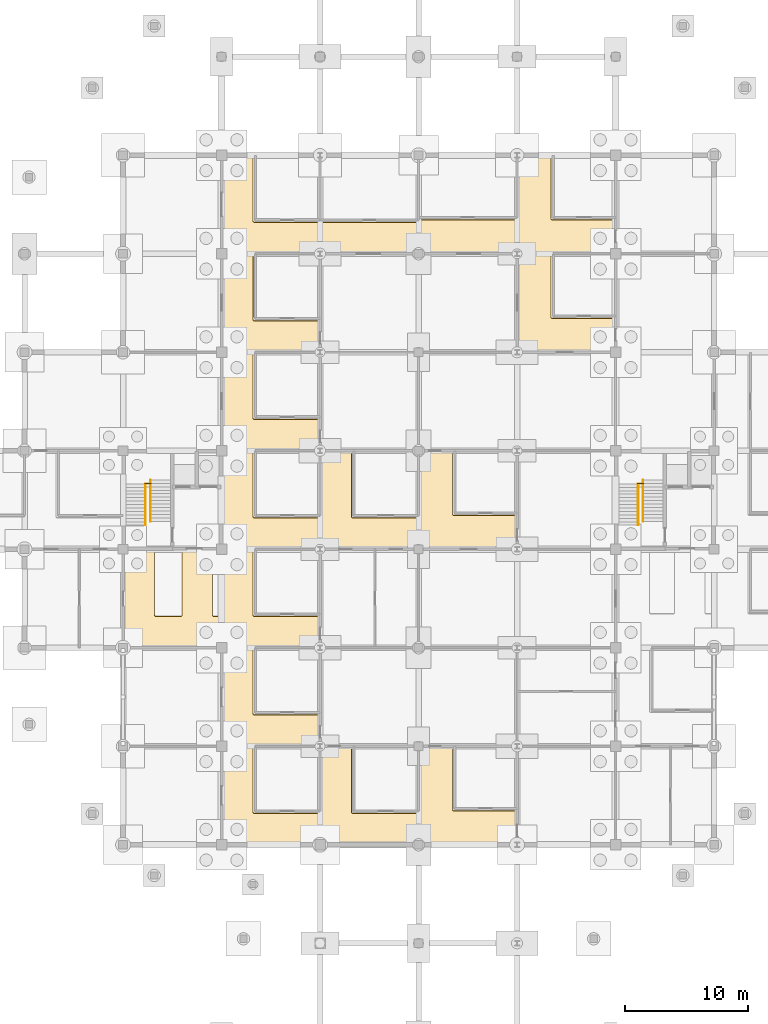
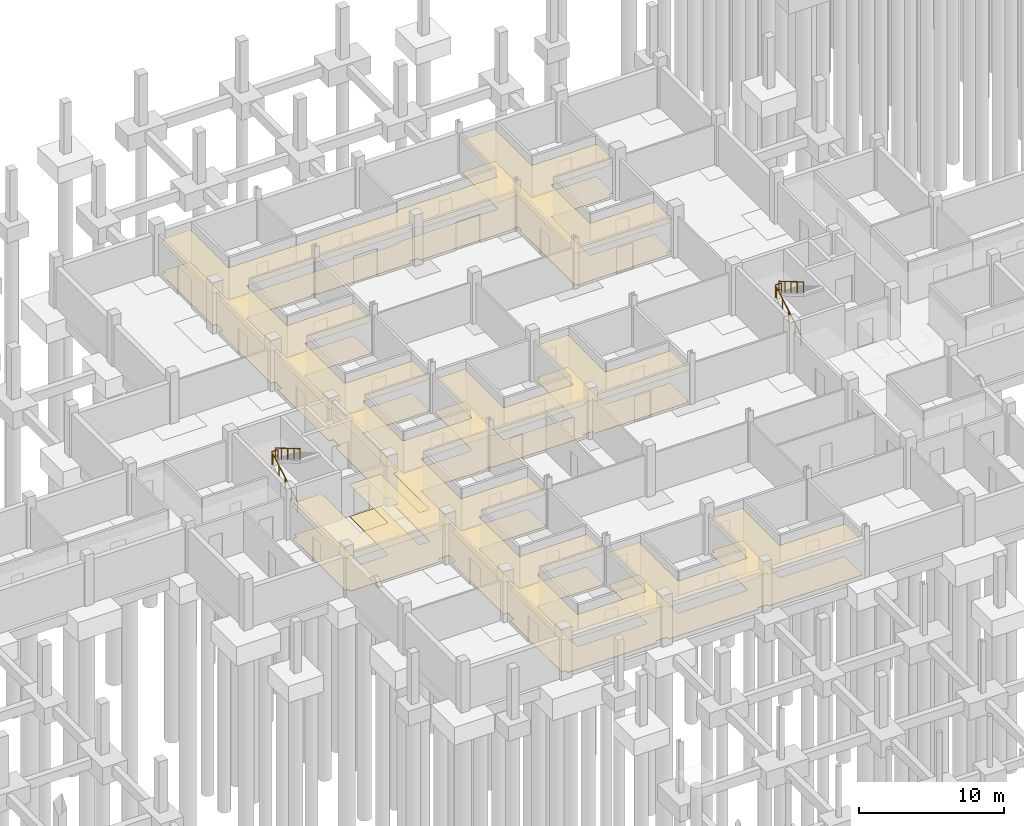
# One storey, part 41 of 48: 6 railings, 2 coverings.
"""IFC4 building model written with IfcOpenShell, lengths in metres."""

from ifc_helpers import new_model, si_unit, derived_unit, direction, frame, origin, origin_2d, place, context, subcontext, project, spatial, polyline, circle, outline, extrude, material, layer, layer_set, type_object, element, save


model = new_model("IFC4")

# Units and contexts
model_context = context("Model", 3, precision=1e-05, world=origin(), true_north=direction((0.0, 1.0)))
body_context = subcontext(model_context, "Body", "Model", "MODEL_VIEW")
ifc_project = project(units=[si_unit("LENGTHUNIT", "METRE"), si_unit("AREAUNIT", "SQUARE_METRE"), si_unit("VOLUMEUNIT", "CUBIC_METRE"), si_unit("PLANEANGLEUNIT", "RADIAN"), si_unit("MASSUNIT", "GRAM", prefix="KILO"), derived_unit("THERMALTRANSMITTANCEUNIT", [(si_unit("MASSUNIT", "GRAM", prefix="KILO"), 1), (si_unit("TIMEUNIT", "SECOND"), -3), (si_unit("THERMODYNAMICTEMPERATUREUNIT", "KELVIN"), -1)])], contexts=[model_context])

# Site, building, storey
site_placement = place(None, origin())
site = spatial("IfcSite", under=ifc_project, at=site_placement, CompositionType="ELEMENT")
building_placement = place(site_placement, origin())
building = spatial("IfcBuilding", under=site, at=building_placement, Name="Veyamyaing Civic Hall", CompositionType="ELEMENT")
storey_placement = place(building_placement, frame((0.0, 0.0, -4.2900390625)))
storey = spatial("IfcBuildingStorey", under=building, at=storey_placement, Name="B1", CompositionType="ELEMENT", Elevation=-4.2900390625)

# Coverings
ifc_material_1 = material(Name="Perforated acoustic gypsum ceiling board")
ifc_layer_1 = layer(ifc_material_1, 0.02490234375, Name="Perforated acoustic gypsum ceiling board")
ifc_layer_set_1 = layer_set([ifc_layer_1], Name="Perforated acoustic gypsum ceiling board")
covering_type_1 = type_object("IfcCoveringType", Name="CLG-01", PredefinedType="CEILING", material=ifc_layer_set_1)
covering_1_placement = place(storey_placement, frame((0.0, 0.0, 2.699951171875)))
element("IfcCovering", 1, at=covering_1_placement, inside=storey, type_object=covering_type_1, Name="Acoustic suspended ceiling CLG-01 B1-C04", PredefinedType="CEILING", context=body_context, shape_type="SweptSolid", body=[
    extrude(outline(polyline([(64.3349609375, 40.074951171875), (64.3349609375, 40.3349609375), (64.074951171875, 40.3349609375), (64.074951171875, 47.614990234375), (64.385009765625, 47.614990234375), (64.385009765625, 47.925048828125), (66.574951171875, 47.925048828125), (66.574951171875, 42.652587890625), (66.581298828125, 42.62158203125), (66.597412109375, 42.597412109375), (66.62158203125, 42.581298828125), (66.652587890625, 42.574951171875), (68.6982421875, 42.574951171875), (68.7216796875, 42.57861328125), (68.741455078125, 42.587890625), (68.7578125, 42.6025390625), (68.768798828125, 42.620849609375), (68.77490234375, 42.652587890625), (68.77490234375, 47.925048828125), (71.27490234375, 47.925048828125), (71.27685546875, 42.635009765625), (71.283935546875, 42.615478515625), (71.302734375, 42.59228515625), (71.3291015625, 42.578369140625), (71.351806640625, 42.574951171875), (72.006591796875, 42.575439453125), (72.028076171875, 42.580810546875), (72.05322265625, 42.59765625), (72.06591796875, 42.61474609375), (72.072998046875, 42.635009765625), (72.074951171875, 47.590087890625), (72.409912109375, 47.590087890625), (72.409912109375, 48.409912109375), (72.074951171875, 48.409912109375), (72.074951171875, 55.590087890625), (72.409912109375, 55.590087890625), (72.409912109375, 56.409912109375), (72.074951171875, 56.409912109375), (72.074951171875, 63.590087890625), (72.409912109375, 63.590087890625), (72.409912109375, 64.409912109375), (72.074951171875, 64.409912109375), (72.074951171875, 71.590087890625), (72.409912109375, 71.590087890625), (72.409912109375, 72.409912109375), (72.074951171875, 72.409912109375), (72.074951171875, 79.590087890625), (72.409912109375, 79.590087890625), (72.409912109375, 79.844970703125), (74.574951171875, 79.844970703125), (74.574951171875, 74.65185546875), (74.578369140625, 74.62890625), (74.5927734375, 74.602294921875), (74.60791015625, 74.58837890625), (74.635498046875, 74.576904296875), (87.998291015625, 74.574951171875), (88.021728515625, 74.57861328125), (88.0419921875, 74.588134765625), (88.052490234375, 74.5966796875), (88.0654296875, 74.6142578125), (88.074462890625, 74.64404296875), (88.0751953125, 74.77490234375), (96.014404296875, 74.77685546875), (96.0419921875, 74.788330078125), (96.057373046875, 74.80224609375), (96.071533203125, 74.8291015625), (96.074951171875, 74.851806640625), (96.074951171875, 79.821533203125), (96.18408203125, 79.821533203125), (96.18408203125, 79.844970703125), (98.77490234375, 79.844970703125), (98.77490234375, 74.851806640625), (98.778564453125, 74.82763671875), (98.78369140625, 74.815185546875), (98.797607421875, 74.796630859375), (98.807861328125, 74.7880859375), (98.828369140625, 74.778564453125), (98.851806640625, 74.77490234375), (103.925048828125, 74.77490234375), (103.925048828125, 72.409912109375), (103.590087890625, 72.409912109375), (103.590087890625, 72.074951171875), (98.8525390625, 72.074951171875), (98.821533203125, 72.06884765625), (98.79736328125, 72.052734375), (98.78125, 72.028564453125), (98.77490234375, 71.99755859375), (98.77490234375, 66.851806640625), (98.778564453125, 66.828369140625), (98.7880859375, 66.807861328125), (98.796630859375, 66.797607421875), (98.815185546875, 66.78369140625), (98.82763671875, 66.778564453125), (98.851806640625, 66.77490234375), (103.925048828125, 66.77490234375), (103.925048828125, 64.409912109375), (103.590087890625, 64.409912109375), (103.590087890625, 64.074951171875), (96.18408203125, 64.074951171875), (96.18408203125, 64.178466796875), (96.074951171875, 64.178466796875), (96.074951171875, 71.821533203125), (96.18408203125, 71.821533203125), (96.18408203125, 72.178466796875), (95.81591796875, 72.178466796875), (95.81591796875, 72.074951171875), (88.3349609375, 72.074951171875), (88.3349609375, 72.3349609375), (87.6650390625, 72.3349609375), (87.6650390625, 72.074951171875), (80.18408203125, 72.074951171875), (80.18408203125, 72.178466796875), (79.81591796875, 72.178466796875), (79.81591796875, 72.074951171875), (74.65185546875, 72.074951171875), (74.62890625, 72.071533203125), (74.602294921875, 72.057373046875), (74.58837890625, 72.0419921875), (74.576904296875, 72.014404296875), (74.574951171875, 66.652587890625), (74.581298828125, 66.62158203125), (74.597412109375, 66.597412109375), (74.62158203125, 66.581298828125), (74.652587890625, 66.574951171875), (79.925048828125, 66.574951171875), (79.925048828125, 64.178466796875), (79.81591796875, 64.178466796875), (79.81591796875, 64.074951171875), (74.65185546875, 64.074951171875), (74.62841796875, 64.071533203125), (74.60888671875, 64.0625), (74.587646484375, 64.041015625), (74.57861328125, 64.021728515625), (74.574951171875, 63.998291015625), (74.574951171875, 58.652587890625), (74.581298828125, 58.62158203125), (74.597412109375, 58.597412109375), (74.62158203125, 58.581298828125), (74.652587890625, 58.574951171875), (79.925048828125, 58.574951171875), (79.925048828125, 56.178466796875), (79.81591796875, 56.178466796875), (79.81591796875, 56.074951171875), (74.65185546875, 56.074951171875), (74.627685546875, 56.0712890625), (74.615234375, 56.06640625), (74.5966796875, 56.052490234375), (74.588134765625, 56.0419921875), (74.57861328125, 56.021728515625), (74.574951171875, 55.998291015625), (74.574951171875, 50.652587890625), (74.581298828125, 50.62158203125), (74.597412109375, 50.597412109375), (74.62158203125, 50.581298828125), (74.652587890625, 50.574951171875), (79.99755859375, 50.574951171875), (80.028564453125, 50.581298828125), (80.052734375, 50.597412109375), (80.06884765625, 50.62158203125), (80.074951171875, 50.652587890625), (80.074951171875, 55.821533203125), (80.18408203125, 55.821533203125), (80.18408203125, 55.925048828125), (82.574951171875, 55.925048828125), (82.574951171875, 50.65185546875), (82.57861328125, 50.62841796875), (82.587890625, 50.6083984375), (82.602294921875, 50.5927734375), (82.62890625, 50.578369140625), (82.65185546875, 50.574951171875), (87.99755859375, 50.574951171875), (88.028564453125, 50.581298828125), (88.052734375, 50.597412109375), (88.06884765625, 50.62158203125), (88.074951171875, 50.652587890625), (88.074951171875, 55.6650390625), (88.3349609375, 55.6650390625), (88.3349609375, 55.925048828125), (90.77490234375, 55.925048828125), (90.77490234375, 50.851806640625), (90.778564453125, 50.82763671875), (90.78369140625, 50.815185546875), (90.797607421875, 50.796630859375), (90.807861328125, 50.7880859375), (90.828369140625, 50.778564453125), (90.851806640625, 50.77490234375), (95.925048828125, 50.77490234375), (95.925048828125, 48.178466796875), (95.81591796875, 48.178466796875), (95.81591796875, 48.074951171875), (88.3349609375, 48.074951171875), (88.3349609375, 48.3349609375), (87.6650390625, 48.3349609375), (87.6650390625, 48.074951171875), (80.18408203125, 48.074951171875), (80.18408203125, 48.178466796875), (79.81591796875, 48.178466796875), (79.81591796875, 48.074951171875), (74.652587890625, 48.074951171875), (74.620849609375, 48.068603515625), (74.60205078125, 48.0576171875), (74.592529296875, 48.0478515625), (74.581298828125, 48.029296875), (74.574951171875, 47.99755859375), (74.574951171875, 42.65185546875), (74.57861328125, 42.62841796875), (74.588134765625, 42.60791015625), (74.5966796875, 42.597412109375), (74.615234375, 42.583740234375), (74.627685546875, 42.57861328125), (74.65185546875, 42.574951171875), (79.925048828125, 42.574951171875), (79.925048828125, 40.178466796875), (79.81591796875, 40.178466796875), (79.81591796875, 40.074951171875), (74.652587890625, 40.074951171875), (74.62158203125, 40.06884765625), (74.597412109375, 40.052734375), (74.581298828125, 40.028564453125), (74.574951171875, 39.99755859375), (74.574951171875, 34.65185546875), (74.57861328125, 34.62841796875), (74.587890625, 34.6083984375), (74.602294921875, 34.5927734375), (74.62890625, 34.578369140625), (74.65185546875, 34.574951171875), (79.925048828125, 34.574951171875), (79.925048828125, 32.178466796875), (79.81591796875, 32.178466796875), (79.81591796875, 32.074951171875), (74.652587890625, 32.074951171875), (74.62158203125, 32.06884765625), (74.597412109375, 32.052734375), (74.581298828125, 32.028564453125), (74.574951171875, 31.99755859375), (74.574951171875, 26.652587890625), (74.581298828125, 26.620849609375), (74.59228515625, 26.6025390625), (74.6083984375, 26.587890625), (74.62841796875, 26.57861328125), (74.65185546875, 26.574951171875), (79.998291015625, 26.574951171875), (80.021728515625, 26.57861328125), (80.0419921875, 26.588134765625), (80.052490234375, 26.5966796875), (80.06640625, 26.615234375), (80.0712890625, 26.627685546875), (80.074951171875, 26.65185546875), (80.074951171875, 31.821533203125), (80.18408203125, 31.821533203125), (80.18408203125, 31.925048828125), (82.574951171875, 31.925048828125), (82.574951171875, 26.652587890625), (82.581298828125, 26.62158203125), (82.597412109375, 26.597412109375), (82.62158203125, 26.581298828125), (82.652587890625, 26.574951171875), (87.998291015625, 26.574951171875), (88.02099609375, 26.578369140625), (88.0478515625, 26.5927734375), (88.06201171875, 26.6083984375), (88.071533203125, 26.62841796875), (88.074951171875, 26.65185546875), (88.074951171875, 31.6650390625), (88.3349609375, 31.6650390625), (88.3349609375, 31.925048828125), (90.77490234375, 31.925048828125), (90.77490234375, 26.851806640625), (90.778564453125, 26.828369140625), (90.7880859375, 26.807861328125), (90.796630859375, 26.797607421875), (90.815185546875, 26.78369140625), (90.82763671875, 26.778564453125), (90.851806640625, 26.77490234375), (95.925048828125, 26.77490234375), (95.925048828125, 24.178466796875), (95.81591796875, 24.178466796875), (95.81591796875, 24.155029296875), (88.3349609375, 24.155029296875), (88.3349609375, 24.3349609375), (87.6650390625, 24.3349609375), (87.6650390625, 24.155029296875), (80.409912109375, 24.155029296875), (80.409912109375, 24.409912109375), (79.590087890625, 24.409912109375), (79.590087890625, 24.155029296875), (72.409912109375, 24.155029296875), (72.409912109375, 24.409912109375), (72.074951171875, 24.409912109375), (72.074951171875, 31.590087890625), (72.409912109375, 31.590087890625), (72.409912109375, 32.409912109375), (72.074951171875, 32.409912109375), (72.074951171875, 39.590087890625), (72.409912109375, 39.590087890625), (72.409912109375, 40.409912109375), (71.590087890625, 40.409912109375), (71.590087890625, 40.074951171875), (64.3349609375, 40.074951171875)])), origin(), (0.0, 0.0, 1.0), 0.025146484375),
])
ifc_material_2 = material(Name="Polished Mandalay marble and terrazzo flooring", Category="masonry")
ifc_layer_2 = layer(ifc_material_2, 0.030029296875, Name="Polished Mandalay marble and terrazzo flooring")
ifc_layer_set_2 = layer_set([ifc_layer_2], Name="Polished Mandalay marble and terrazzo flooring")
covering_type_2 = type_object("IfcCoveringType", Name="FLR-01", PredefinedType="FLOORING", material=ifc_layer_set_2)
covering_2_placement = place(storey_placement, origin())
element("IfcCovering", 2, at=covering_2_placement, inside=storey, type_object=covering_type_2, Name="Stone and terrazzo flooring FLR-01 B1-C04", PredefinedType="FLOORING", context=body_context, shape_type="SweptSolid", body=[
    extrude(outline(polyline([(64.360107421875, 40.10009765625), (64.360107421875, 40.360107421875), (64.10009765625, 40.360107421875), (64.10009765625, 47.590087890625), (64.409912109375, 47.590087890625), (64.409912109375, 47.89990234375), (66.550048828125, 47.89990234375), (66.550048828125, 42.64990234375), (66.5576171875, 42.61181640625), (66.579345703125, 42.579345703125), (66.61181640625, 42.5576171875), (66.64990234375, 42.550048828125), (68.699951171875, 42.550048828125), (68.72900390625, 42.55419921875), (68.755615234375, 42.56689453125), (68.77734375, 42.586669921875), (68.79248046875, 42.61181640625), (68.800048828125, 42.64990234375), (68.800048828125, 47.89990234375), (71.25, 47.89990234375), (71.251953125, 42.630615234375), (71.26171875, 42.602783203125), (71.28662109375, 42.57275390625), (71.321044921875, 42.55419921875), (71.35009765625, 42.550048828125), (72.009765625, 42.550537109375), (72.038330078125, 42.5576171875), (72.07080078125, 42.579345703125), (72.088134765625, 42.602783203125), (72.09814453125, 42.630615234375), (72.10009765625, 47.56494140625), (72.43505859375, 47.56494140625), (72.43505859375, 48.43505859375), (72.10009765625, 48.43505859375), (72.10009765625, 55.56494140625), (72.43505859375, 55.56494140625), (72.43505859375, 56.43505859375), (72.10009765625, 56.43505859375), (72.10009765625, 63.56494140625), (72.43505859375, 63.56494140625), (72.43505859375, 64.43505859375), (72.10009765625, 64.43505859375), (72.10009765625, 71.56494140625), (72.43505859375, 71.56494140625), (72.43505859375, 72.43505859375), (72.10009765625, 72.43505859375), (72.10009765625, 79.56494140625), (72.43505859375, 79.56494140625), (72.43505859375, 79.820068359375), (74.550048828125, 79.820068359375), (74.550048828125, 74.64990234375), (74.55419921875, 74.62109375), (74.57275390625, 74.586669921875), (74.594482421875, 74.56689453125), (74.630615234375, 74.552001953125), (88.0, 74.550048828125), (88.029052734375, 74.55419921875), (88.0556640625, 74.56689453125), (88.07080078125, 74.579345703125), (88.088134765625, 74.602783203125), (88.099609375, 74.64013671875), (88.10009765625, 74.75), (96.01953125, 74.751953125), (96.0556640625, 74.766845703125), (96.077392578125, 74.78662109375), (96.095703125, 74.821044921875), (96.10009765625, 74.85009765625), (96.10009765625, 79.79638671875), (96.208984375, 79.79638671875), (96.208984375, 79.820068359375), (98.75, 79.820068359375), (98.75, 74.85009765625), (98.75439453125, 74.821044921875), (98.76171875, 74.802978515625), (98.779296875, 74.779296875), (98.79443359375, 74.766845703125), (98.821044921875, 74.75439453125), (98.85009765625, 74.75), (103.89990234375, 74.75), (103.89990234375, 72.43505859375), (103.56494140625, 72.43505859375), (103.56494140625, 72.10009765625), (98.85009765625, 72.10009765625), (98.811767578125, 72.09228515625), (98.779296875, 72.07080078125), (98.757568359375, 72.038330078125), (98.75, 72.0), (98.75, 66.85009765625), (98.75439453125, 66.821044921875), (98.766845703125, 66.79443359375), (98.779296875, 66.779296875), (98.802978515625, 66.76171875), (98.821044921875, 66.75439453125), (98.85009765625, 66.75), (103.89990234375, 66.75), (103.89990234375, 64.43505859375), (103.56494140625, 64.43505859375), (103.56494140625, 64.10009765625), (96.208984375, 64.10009765625), (96.208984375, 64.20361328125), (96.10009765625, 64.20361328125), (96.10009765625, 71.79638671875), (96.208984375, 71.79638671875), (96.208984375, 72.20361328125), (95.791015625, 72.20361328125), (95.791015625, 72.10009765625), (88.360107421875, 72.10009765625), (88.360107421875, 72.360107421875), (87.639892578125, 72.360107421875), (87.639892578125, 72.10009765625), (80.208984375, 72.10009765625), (80.208984375, 72.20361328125), (79.791015625, 72.20361328125), (79.791015625, 72.10009765625), (74.64990234375, 72.10009765625), (74.62109375, 72.095703125), (74.586669921875, 72.077392578125), (74.56689453125, 72.0556640625), (74.552001953125, 72.01953125), (74.550048828125, 66.64990234375), (74.5576171875, 66.61181640625), (74.579345703125, 66.579345703125), (74.61181640625, 66.5576171875), (74.64990234375, 66.550048828125), (79.89990234375, 66.550048828125), (79.89990234375, 64.20361328125), (79.791015625, 64.20361328125), (79.791015625, 64.10009765625), (74.64990234375, 64.10009765625), (74.62109375, 64.095703125), (74.594482421875, 64.0830078125), (74.56689453125, 64.0556640625), (74.55419921875, 64.029052734375), (74.550048828125, 64.0), (74.550048828125, 58.64990234375), (74.5576171875, 58.61181640625), (74.579345703125, 58.579345703125), (74.61181640625, 58.5576171875), (74.64990234375, 58.550048828125), (79.89990234375, 58.550048828125), (79.89990234375, 56.20361328125), (79.791015625, 56.20361328125), (79.791015625, 56.10009765625), (74.64990234375, 56.10009765625), (74.62109375, 56.095703125), (74.602783203125, 56.088134765625), (74.579345703125, 56.07080078125), (74.56689453125, 56.0556640625), (74.55419921875, 56.029052734375), (74.550048828125, 56.0), (74.550048828125, 50.64990234375), (74.5576171875, 50.61181640625), (74.579345703125, 50.579345703125), (74.61181640625, 50.5576171875), (74.64990234375, 50.550048828125), (80.0, 50.550048828125), (80.038330078125, 50.5576171875), (80.07080078125, 50.579345703125), (80.09228515625, 50.61181640625), (80.10009765625, 50.64990234375), (80.10009765625, 55.79638671875), (80.208984375, 55.79638671875), (80.208984375, 55.89990234375), (82.550048828125, 55.89990234375), (82.550048828125, 50.64990234375), (82.55419921875, 50.62109375), (82.56689453125, 50.594482421875), (82.586669921875, 50.57275390625), (82.62109375, 50.55419921875), (82.64990234375, 50.550048828125), (88.0, 50.550048828125), (88.038330078125, 50.5576171875), (88.07080078125, 50.579345703125), (88.09228515625, 50.61181640625), (88.10009765625, 50.64990234375), (88.10009765625, 55.639892578125), (88.360107421875, 55.639892578125), (88.360107421875, 55.89990234375), (90.75, 55.89990234375), (90.75, 50.85009765625), (90.75439453125, 50.821044921875), (90.76171875, 50.802978515625), (90.779296875, 50.779296875), (90.79443359375, 50.766845703125), (90.821044921875, 50.75439453125), (90.85009765625, 50.75), (95.89990234375, 50.75), (95.89990234375, 48.20361328125), (95.791015625, 48.20361328125), (95.791015625, 48.10009765625), (88.360107421875, 48.10009765625), (88.360107421875, 48.360107421875), (87.639892578125, 48.360107421875), (87.639892578125, 48.10009765625), (80.208984375, 48.10009765625), (80.208984375, 48.20361328125), (79.791015625, 48.20361328125), (79.791015625, 48.10009765625), (74.64990234375, 48.10009765625), (74.61181640625, 48.09228515625), (74.586669921875, 48.077392578125), (74.57275390625, 48.0634765625), (74.5576171875, 48.038330078125), (74.550048828125, 48.0), (74.550048828125, 42.64990234375), (74.55419921875, 42.62109375), (74.56689453125, 42.594482421875), (74.579345703125, 42.579345703125), (74.602783203125, 42.561767578125), (74.62109375, 42.55419921875), (74.64990234375, 42.550048828125), (79.89990234375, 42.550048828125), (79.89990234375, 40.20361328125), (79.791015625, 40.20361328125), (79.791015625, 40.10009765625), (74.64990234375, 40.10009765625), (74.61181640625, 40.09228515625), (74.579345703125, 40.07080078125), (74.5576171875, 40.038330078125), (74.550048828125, 40.0), (74.550048828125, 34.64990234375), (74.55419921875, 34.62109375), (74.56689453125, 34.594482421875), (74.586669921875, 34.57275390625), (74.62109375, 34.55419921875), (74.64990234375, 34.550048828125), (79.89990234375, 34.550048828125), (79.89990234375, 32.20361328125), (79.791015625, 32.20361328125), (79.791015625, 32.10009765625), (74.64990234375, 32.10009765625), (74.61181640625, 32.09228515625), (74.579345703125, 32.07080078125), (74.5576171875, 32.038330078125), (74.550048828125, 32.0), (74.550048828125, 26.64990234375), (74.5576171875, 26.61181640625), (74.57275390625, 26.586669921875), (74.594482421875, 26.56689453125), (74.62109375, 26.55419921875), (74.64990234375, 26.550048828125), (80.0, 26.550048828125), (80.029052734375, 26.55419921875), (80.0556640625, 26.56689453125), (80.07080078125, 26.579345703125), (80.088134765625, 26.602783203125), (80.095703125, 26.62109375), (80.10009765625, 26.64990234375), (80.10009765625, 31.79638671875), (80.208984375, 31.79638671875), (80.208984375, 31.89990234375), (82.550048828125, 31.89990234375), (82.550048828125, 26.64990234375), (82.5576171875, 26.61181640625), (82.579345703125, 26.579345703125), (82.61181640625, 26.5576171875), (82.64990234375, 26.550048828125), (88.0, 26.550048828125), (88.029052734375, 26.55419921875), (88.0634765625, 26.57275390625), (88.0830078125, 26.594482421875), (88.095703125, 26.62109375), (88.10009765625, 26.64990234375), (88.10009765625, 31.639892578125), (88.360107421875, 31.639892578125), (88.360107421875, 31.89990234375), (90.75, 31.89990234375), (90.75, 26.85009765625), (90.75439453125, 26.821044921875), (90.766845703125, 26.79443359375), (90.779296875, 26.779296875), (90.802978515625, 26.76171875), (90.821044921875, 26.75439453125), (90.85009765625, 26.75), (95.89990234375, 26.75), (95.89990234375, 24.20361328125), (95.791015625, 24.20361328125), (95.791015625, 24.179931640625), (88.360107421875, 24.179931640625), (88.360107421875, 24.360107421875), (87.639892578125, 24.360107421875), (87.639892578125, 24.179931640625), (80.43505859375, 24.179931640625), (80.43505859375, 24.43505859375), (79.56494140625, 24.43505859375), (79.56494140625, 24.179931640625), (72.43505859375, 24.179931640625), (72.43505859375, 24.43505859375), (72.10009765625, 24.43505859375), (72.10009765625, 31.56494140625), (72.43505859375, 31.56494140625), (72.43505859375, 32.43505859375), (72.10009765625, 32.43505859375), (72.10009765625, 39.56494140625), (72.43505859375, 39.56494140625), (72.43505859375, 40.43505859375), (71.56494140625, 40.43505859375), (71.56494140625, 40.10009765625), (64.360107421875, 40.10009765625)])), origin(), (0.0, 0.0, 1.0), 0.030029296875),
])

# Railings
ifc_material_3 = material(Name="Steel S355J2", Category="steel")
railing_type_1 = type_object("IfcRailingType", Name="RL-01", PredefinedType="BALUSTRADE", material=ifc_material_3)
for number, where, name in (
    (3, (65.780029296875, 53.35009765625, 2.14501953125), "Half-landing slot guard RL-01 ST-05 B1"),
    (4, (105.780029296875, 53.35009765625, 2.14501953125), "Half-landing slot guard RL-01 ST-06 B1"),
):
    element("IfcRailing", number, at=place(storey_placement, frame(where)), inside=storey, type_object=railing_type_1, Name=name, PredefinedType="BALUSTRADE", context=body_context, shape_type="SweptSolid", body=[
        extrude(circle(Radius=0.02392578125, at=origin_2d()), frame((0.0, 0.0, 1.076171875), z_axis=(1.0, 0.0, 0.0), x_axis=(0.0, 1.0, 0.0)), (0.0, 0.0, 1.0), 0.489990234375),
        extrude(circle(Radius=0.01416015625, at=origin_2d()), frame((0.0, 0.0, 0.572021484375), z_axis=(1.0, 0.0, 0.0), x_axis=(0.0, 1.0, 0.0)), (0.0, 0.0, 1.0), 0.489990234375),
        extrude(circle(Radius=0.02099609375, at=origin_2d()), origin(), (0.0, 0.0, 1.0), 1.052001953125),
        extrude(circle(Radius=0.02099609375, at=origin_2d()), frame((0.489990234375, 0.0, 0.0)), (0.0, 0.0, 1.0), 1.052001953125),
    ])
railing_type_2 = type_object("IfcRailingType", Name="RL-02", PredefinedType="HANDRAIL", material=ifc_material_3)
railing_1_placement = place(storey_placement, frame((65.840087890625, 49.949951171875, 0.1650390625)))
element("IfcRailing", 5, at=railing_1_placement, inside=storey, type_object=railing_type_2, Name="Stair pitch handrail RL-02 ST-05 B1.1", PredefinedType="HANDRAIL", context=body_context, shape_type="SweptSolid", body=[
    extrude(circle(Radius=0.02392578125, at=origin_2d()), frame((0.0, 0.0, 0.89599609375), z_axis=(0.0, 0.861547751209, 0.507676543073), x_axis=(-1.0, 0.0, 0.0)), (0.0, 0.0, 1.0), 3.900146484375),
    extrude(circle(Radius=0.02099609375, at=origin_2d()), origin(), (0.0, 0.0, 1.0), 0.871826171875),
    extrude(circle(Radius=0.02099609375, at=origin_2d()), frame((0.0, 0.840087890625, 0.4951171875)), (0.0, 0.0, 1.0), 0.871826171875),
    extrude(circle(Radius=0.02099609375, at=origin_2d()), frame((0.0, 1.68017578125, 0.989990234375)), (0.0, 0.0, 1.0), 0.871826171875),
    extrude(circle(Radius=0.02099609375, at=origin_2d()), frame((0.0, 2.52001953125, 1.48486328125)), (0.0, 0.0, 1.0), 0.871826171875),
    extrude(circle(Radius=0.02099609375, at=origin_2d()), frame((0.0, 3.360107421875, 1.97998046875)), (0.0, 0.0, 1.0), 0.871826171875),
])
railing_2_placement = place(storey_placement, frame((66.219970703125, 53.6298828125, 2.31005859375)))
element("IfcRailing", 6, at=railing_2_placement, inside=storey, type_object=railing_type_2, Name="Stair pitch handrail RL-02 ST-05 B1.2", PredefinedType="HANDRAIL", context=body_context, shape_type="SweptSolid", body=[
    extrude(circle(Radius=0.02392578125, at=origin_2d()), frame((0.0, 0.0, 0.89599609375), z_axis=(0.0, -0.861531615964, 0.507703924246), x_axis=(1.0, 0.0, 0.0)), (0.0, 0.0, 1.0), 3.89990234375),
    extrude(circle(Radius=0.02099609375, at=origin_2d()), origin(), (0.0, 0.0, 1.0), 0.871826171875),
    extrude(circle(Radius=0.02099609375, at=origin_2d()), frame((0.0, -0.83984375, 0.4951171875)), (0.0, 0.0, 1.0), 0.871826171875),
    extrude(circle(Radius=0.02099609375, at=origin_2d()), frame((0.0, -1.679931640625, 0.989990234375)), (0.0, 0.0, 1.0), 0.871826171875),
    extrude(circle(Radius=0.02099609375, at=origin_2d()), frame((0.0, -2.52001953125, 1.48486328125)), (0.0, 0.0, 1.0), 0.871826171875),
    extrude(circle(Radius=0.02099609375, at=origin_2d()), frame((0.0, -3.35986328125, 1.97998046875)), (0.0, 0.0, 1.0), 0.871826171875),
])
railing_3_placement = place(storey_placement, frame((105.840087890625, 49.949951171875, 0.1650390625)))
element("IfcRailing", 7, at=railing_3_placement, inside=storey, type_object=railing_type_2, Name="Stair pitch handrail RL-02 ST-06 B1.1", PredefinedType="HANDRAIL", context=body_context, shape_type="SweptSolid", body=[
    extrude(circle(Radius=0.02392578125, at=origin_2d()), frame((0.0, 0.0, 0.89599609375), z_axis=(0.0, 0.861547751209, 0.507676543073), x_axis=(-1.0, 0.0, 0.0)), (0.0, 0.0, 1.0), 3.900146484375),
    extrude(circle(Radius=0.02099609375, at=origin_2d()), origin(), (0.0, 0.0, 1.0), 0.871826171875),
    extrude(circle(Radius=0.02099609375, at=origin_2d()), frame((0.0, 0.840087890625, 0.4951171875)), (0.0, 0.0, 1.0), 0.871826171875),
    extrude(circle(Radius=0.02099609375, at=origin_2d()), frame((0.0, 1.68017578125, 0.989990234375)), (0.0, 0.0, 1.0), 0.871826171875),
    extrude(circle(Radius=0.02099609375, at=origin_2d()), frame((0.0, 2.52001953125, 1.48486328125)), (0.0, 0.0, 1.0), 0.871826171875),
    extrude(circle(Radius=0.02099609375, at=origin_2d()), frame((0.0, 3.360107421875, 1.97998046875)), (0.0, 0.0, 1.0), 0.871826171875),
])
railing_4_placement = place(storey_placement, frame((106.219970703125, 53.6298828125, 2.31005859375)))
element("IfcRailing", 8, at=railing_4_placement, inside=storey, type_object=railing_type_2, Name="Stair pitch handrail RL-02 ST-06 B1.2", PredefinedType="HANDRAIL", context=body_context, shape_type="SweptSolid", body=[
    extrude(circle(Radius=0.02392578125, at=origin_2d()), frame((0.0, 0.0, 0.89599609375), z_axis=(0.0, -0.861531615964, 0.507703924246), x_axis=(1.0, 0.0, 0.0)), (0.0, 0.0, 1.0), 3.89990234375),
    extrude(circle(Radius=0.02099609375, at=origin_2d()), origin(), (0.0, 0.0, 1.0), 0.871826171875),
    extrude(circle(Radius=0.02099609375, at=origin_2d()), frame((0.0, -0.83984375, 0.4951171875)), (0.0, 0.0, 1.0), 0.871826171875),
    extrude(circle(Radius=0.02099609375, at=origin_2d()), frame((0.0, -1.679931640625, 0.989990234375)), (0.0, 0.0, 1.0), 0.871826171875),
    extrude(circle(Radius=0.02099609375, at=origin_2d()), frame((0.0, -2.52001953125, 1.48486328125)), (0.0, 0.0, 1.0), 0.871826171875),
    extrude(circle(Radius=0.02099609375, at=origin_2d()), frame((0.0, -3.35986328125, 1.97998046875)), (0.0, 0.0, 1.0), 0.871826171875),
])

save(model, "model.ifc")
